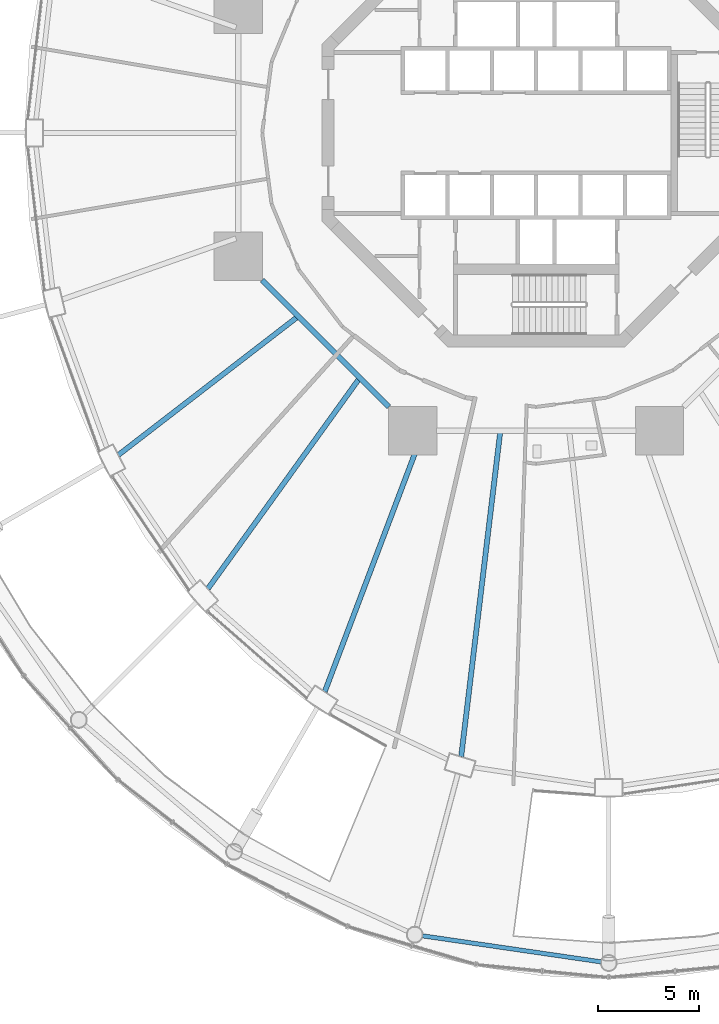
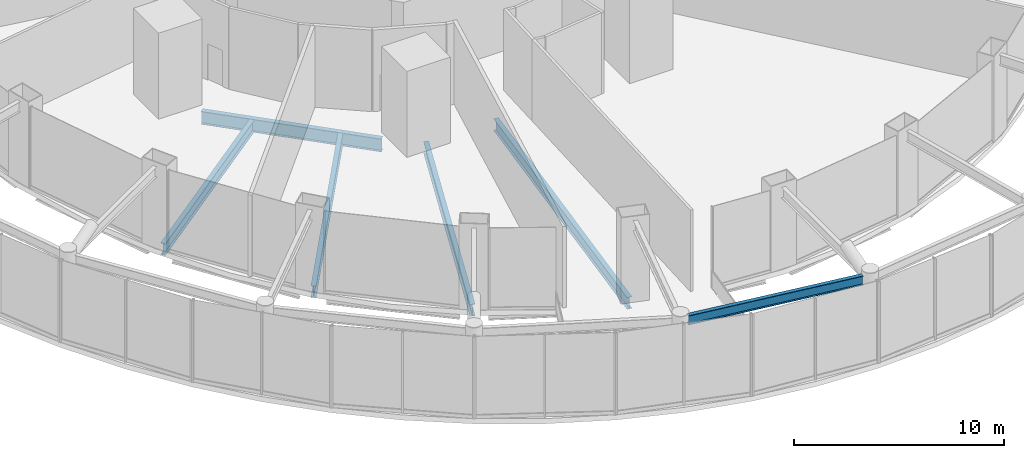
# One storey, part 8 of 52: 6 beams.
"""IFC4 building model written with IfcOpenShell, lengths in metres."""

from ifc_helpers import new_model, si_unit, direction, frame, origin, origin_2d, place, context, subcontext, project, spatial, i_section, extrude, material, material_profile, profile_set, type_object, element, save


model = new_model("IFC4")

# Units and contexts
model_context = context("Model", 3, precision=1e-05, world=origin(), true_north=direction((0.0, 1.0)))
body_context = subcontext(model_context, "Body", "Model", "MODEL_VIEW")
ifc_project = project(units=[si_unit("LENGTHUNIT", "METRE"), si_unit("AREAUNIT", "SQUARE_METRE"), si_unit("VOLUMEUNIT", "CUBIC_METRE"), si_unit("PLANEANGLEUNIT", "RADIAN"), si_unit("MASSUNIT", "GRAM", prefix="KILO")], contexts=[model_context])

# Site, building, storey
site_placement = place(None, origin())
site = spatial("IfcSite", under=ifc_project, at=site_placement, CompositionType="ELEMENT")
building_placement = place(site_placement, origin())
building = spatial("IfcBuilding", under=site, at=building_placement, Name="Nagisa Residences", CompositionType="ELEMENT")
storey_placement = place(building_placement, frame((0.0, 0.0, 22.0)))
storey = spatial("IfcBuildingStorey", under=building, at=storey_placement, Name="L04", CompositionType="ELEMENT", Elevation=22.0)

# Beams
ifc_material_1 = material(Name="Steel ASTM A572 Gr 50", Category="steel")
ifc_material_profile_1 = material_profile(ifc_material_1, i_section(OverallWidth=0.214111328125, OverallDepth=0.549072265625, WebThickness=0.0146484375, FlangeThickness=0.023681640625, at=origin_2d()), Name="W530x138")
ifc_profile_set_1 = profile_set([ifc_material_profile_1], Name="Steel ASTM A572 Gr 50")
beam_type_1 = type_object("IfcBeamType", Name="Atrium ring beam W530x138", PredefinedType="BEAM", material=ifc_profile_set_1)
beam_1_placement = place(storey_placement, frame((-5.6455078125, -39.851806640625, 4.4755859375), z_axis=(0.989533710855, -0.144301888694, 0.0), x_axis=(0.144301888694, 0.989533710855, 0.0)))
element("IfcBeam", 1, at=beam_1_placement, inside=storey, type_object=beam_type_1, Name="beam:L04:rab18", PredefinedType="BEAM", context=body_context, shape_type="SweptSolid", body=[
    extrude(i_section(OverallWidth=0.214111328125, OverallDepth=0.549072265625, WebThickness=0.0146484375, FlangeThickness=0.023681640625, at=origin_2d()), origin(), (0.0, 0.0, 1.0), 8.956787109375),
])
ifc_material_2 = material(Name="Steel ASTM A572 Gr 50", Category="steel")
ifc_material_profile_2 = material_profile(ifc_material_2, i_section(OverallWidth=0.264892578125, OverallDepth=0.7529296875, WebThickness=0.01318359375, FlangeThickness=0.01708984375, at=origin_2d()), Name="W760x147")
ifc_profile_set_2 = profile_set([ifc_material_profile_2], Name="Steel ASTM A572 Gr 50")
beam_type_2 = type_object("IfcBeamType", Name="Inner ring beam W760x147", PredefinedType="BEAM", material=ifc_profile_set_2)
beam_2_placement = place(storey_placement, frame((-13.59619140625, -7.308837890625, -0.676513671875), z_axis=(0.707106781187, -0.707106781187, 0.0), x_axis=(0.707106781187, 0.707106781187, 0.0)))
element("IfcBeam", 2, at=beam_2_placement, inside=storey, type_object=beam_type_2, Name="beam:L04:ib5", PredefinedType="BEAM", context=body_context, shape_type="SweptSolid", body=[
    extrude(i_section(OverallWidth=0.264892578125, OverallDepth=0.7529296875, WebThickness=0.01318359375, FlangeThickness=0.01708984375, at=origin_2d()), origin(), (0.0, 0.0, 1.0), 8.8916015625),
])
ifc_material_3 = material(Name="Steel ASTM A572 Gr 50", Category="steel")
ifc_material_profile_3 = material_profile(ifc_material_3, i_section(OverallWidth=0.25390625, OverallDepth=0.68408203125, WebThickness=0.012451171875, FlangeThickness=0.018798828125, at=origin_2d()), Name="W690x140")
ifc_profile_set_3 = profile_set([ifc_material_profile_3], Name="Steel ASTM A572 Gr 50")
beam_type_3 = type_object("IfcBeamType", Name="Radial beam W690x140", PredefinedType="BEAM", material=ifc_profile_set_3)
beam_3_placement = place(storey_placement, frame((-20.73486328125, -15.982666015625, -0.64208984375), z_axis=(0.792016146736, 0.610500141941, 0.0), x_axis=(-0.610500141941, 0.792016146736, 0.0)))
element("IfcBeam", 3, at=beam_3_placement, inside=storey, type_object=beam_type_3, Name="beam:L04:rb15", PredefinedType="BEAM", context=body_context, shape_type="SweptSolid", body=[
    extrude(i_section(OverallWidth=0.25390625, OverallDepth=0.68408203125, WebThickness=0.012451171875, FlangeThickness=0.018798828125, at=origin_2d()), origin(), (0.0, 0.0, 1.0), 11.160888671875),
])
beam_4_placement = place(storey_placement, frame((-16.29443359375, -22.62255859375, -0.64208984375), z_axis=(0.58445507622, 0.811426068031, 0.0), x_axis=(-0.811426068031, 0.58445507622, 0.0)))
element("IfcBeam", 4, at=beam_4_placement, inside=storey, type_object=beam_type_3, Name="beam:L04:rb16", PredefinedType="BEAM", context=body_context, shape_type="SweptSolid", body=[
    extrude(i_section(OverallWidth=0.25390625, OverallDepth=0.68408203125, WebThickness=0.012451171875, FlangeThickness=0.018798828125, at=origin_2d()), origin(), (0.0, 0.0, 1.0), 12.78955078125),
])
beam_5_placement = place(storey_placement, frame((-10.493896484375, -27.7333984375, -0.64208984375), z_axis=(0.353887892206, 0.935287848606, 0.0), x_axis=(-0.935287848606, 0.353887892206, 0.0)))
element("IfcBeam", 5, at=beam_5_placement, inside=storey, type_object=beam_type_3, Name="beam:L04:rb17", PredefinedType="BEAM", context=body_context, shape_type="SweptSolid", body=[
    extrude(i_section(OverallWidth=0.25390625, OverallDepth=0.68408203125, WebThickness=0.012451171875, FlangeThickness=0.018798828125, at=origin_2d()), origin(), (0.0, 0.0, 1.0), 13.725830078125),
])
beam_6_placement = place(storey_placement, frame((-3.72412109375, -30.958740234375, -0.64208984375), z_axis=(0.119431411612, 0.992842453726, 0.0), x_axis=(-0.992842453726, 0.119431411612, 0.0)))
element("IfcBeam", 6, at=beam_6_placement, inside=storey, type_object=beam_type_3, Name="beam:L04:rb18", PredefinedType="BEAM", context=body_context, shape_type="SweptSolid", body=[
    extrude(i_section(OverallWidth=0.25390625, OverallDepth=0.68408203125, WebThickness=0.012451171875, FlangeThickness=0.018798828125, at=origin_2d()), origin(), (0.0, 0.0, 1.0), 16.1796875),
])

save(model, "model.ifc")
